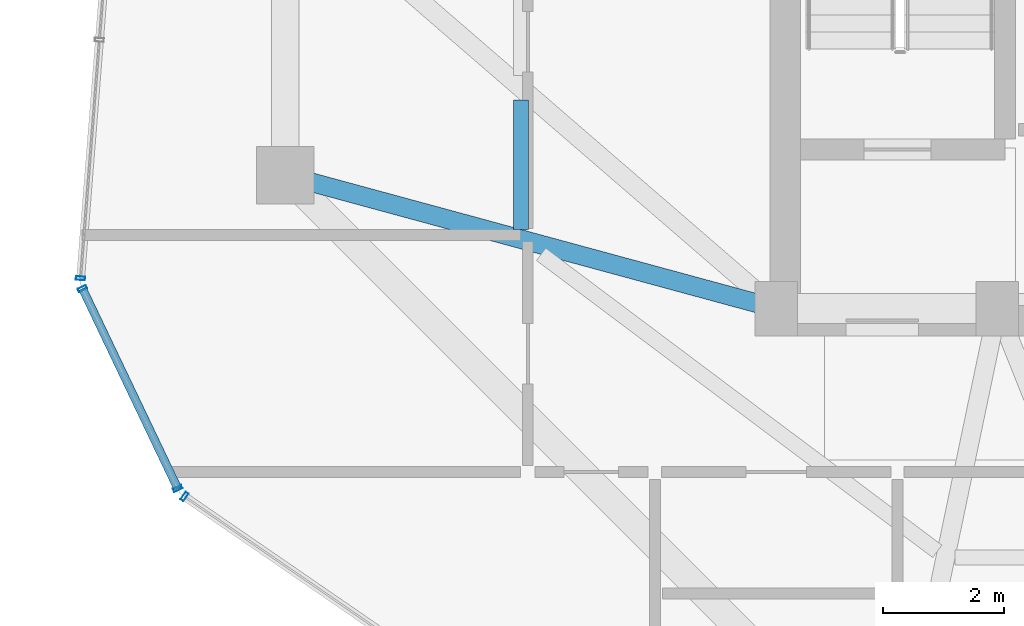
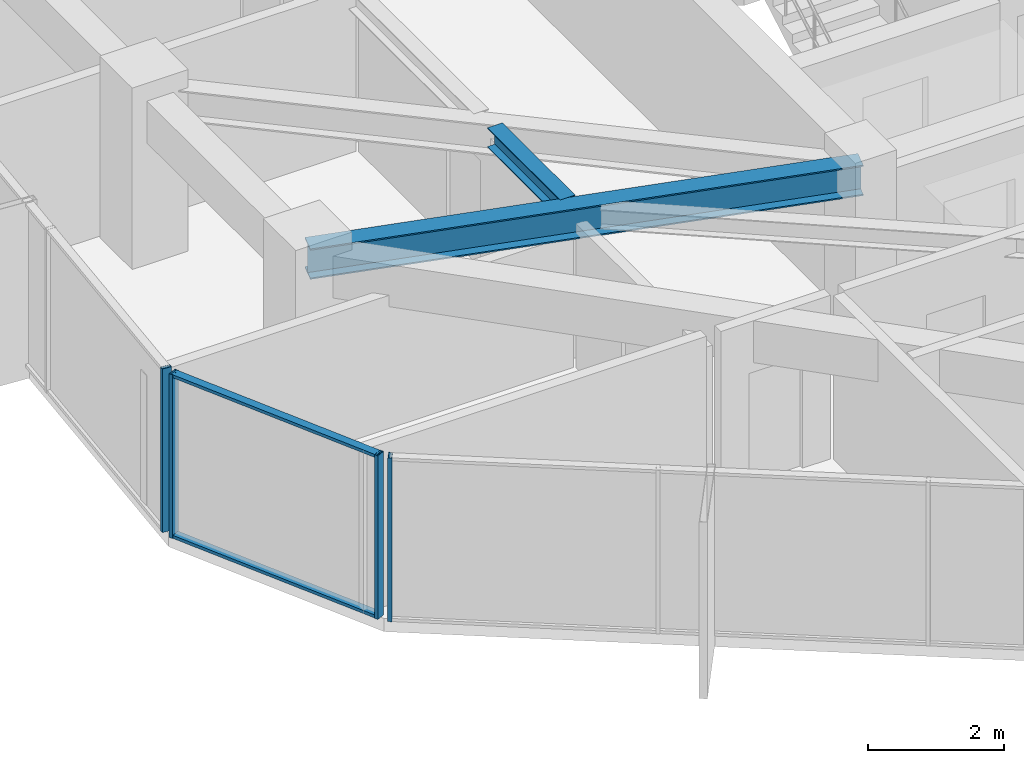
# One storey, part 4 of 29: 6 members, 2 beams, 3 elements without a shape of their own.
"""IFC4 building model written with IfcOpenShell, lengths in metres."""

from ifc_helpers import new_model, si_unit, direction, frame, origin, origin_2d, place, context, subcontext, project, spatial, hollow_rectangle, i_section, extrude, source, transform, mapped, material, layer, layer_set, material_profile, profile_set, type_object, element, aggregate, save


model = new_model("IFC4")

# Units and contexts
model_context = context("Model", 3, precision=1e-05, world=origin(), true_north=direction((0.0, 1.0)))
body_context = subcontext(model_context, "Body", "Model", "MODEL_VIEW")
ifc_project = project(units=[si_unit("LENGTHUNIT", "METRE"), si_unit("AREAUNIT", "SQUARE_METRE"), si_unit("VOLUMEUNIT", "CUBIC_METRE"), si_unit("PLANEANGLEUNIT", "RADIAN"), si_unit("MASSUNIT", "GRAM", prefix="KILO")], contexts=[model_context])

# Site, building, storey
site_placement = place(None, origin())
site = spatial("IfcSite", under=ifc_project, at=site_placement, CompositionType="ELEMENT")
building_placement = place(site_placement, origin())
building = spatial("IfcBuilding", under=site, at=building_placement, Name="Veraguas Prism Commons", CompositionType="ELEMENT")
storey_placement = place(building_placement, frame((0.0, 0.0, 222.14990234375)))
storey = spatial("IfcBuildingStorey", under=building, at=storey_placement, Name="L63", CompositionType="ELEMENT", Elevation=222.14990234375)

# Beams
ifc_material_1 = material(Name="Steel ASTM A992 Grade 50", Category="steel")
ifc_material_profile_1 = material_profile(ifc_material_1, i_section(OverallWidth=0.25390625, OverallDepth=0.35302734375, WebThickness=0.009521484375, FlangeThickness=0.016357421875, at=origin_2d()), Name="W360X91")
ifc_profile_set_1 = profile_set([ifc_material_profile_1], Name="Steel ASTM A992 Grade 50")
beam_type_1 = type_object("IfcBeamType", Name="Upper Floor Joist W360x91", PredefinedType="JOIST", material=ifc_profile_set_1)
beam_1_placement = place(storey_placement, frame((12.988037109375, 20.43701171875, 2.753662109375), z_axis=(0.0, -1.0, 0.0), x_axis=(1.0, 0.0, 0.0)))
element("IfcBeam", 1, at=beam_1_placement, inside=storey, type_object=beam_type_1, Name="Composite Floor Joist L63-JS08", PredefinedType="JOIST", context=body_context, shape_type="SweptSolid", body=[
    extrude(i_section(OverallWidth=0.25390625, OverallDepth=0.35302734375, WebThickness=0.009521484375, FlangeThickness=0.016357421875, at=origin_2d()), origin(), (0.0, 0.0, 1.0), 2.134033203125),
])
ifc_material_profile_2 = material_profile(ifc_material_1, i_section(OverallWidth=0.31103515625, OverallDepth=0.5458984375, WebThickness=0.0146484375, FlangeThickness=0.023681640625, at=origin_2d()), Name="W530X165")
ifc_profile_set_2 = profile_set([ifc_material_profile_2], Name="Steel ASTM A992 Grade 50")
beam_type_2 = type_object("IfcBeamType", Name="Zone 3 Radial Girder W530x165", PredefinedType="BEAM", material=ifc_profile_set_2)
beam_2_placement = place(storey_placement, frame((9.10009765625, 19.199951171875, 2.656982421875), z_axis=(0.965038506703, -0.262108146725, 0.0), x_axis=(0.262108146725, 0.965038506703, 0.0)))
element("IfcBeam", 2, at=beam_2_placement, inside=storey, type_object=beam_type_2, Name="Radial Floor Girder L63-RD09", PredefinedType="BEAM", context=body_context, shape_type="SweptSolid", body=[
    extrude(i_section(OverallWidth=0.31103515625, OverallDepth=0.5458984375, WebThickness=0.0146484375, FlangeThickness=0.023681640625, at=origin_2d()), origin(), (0.0, 0.0, 1.0), 8.393310546875),
])

# Curtain wall, members
ifc_material_2 = material(Name="Anodised aluminium EN AW-6063 T6", Category="aluminium")
ifc_layer = layer(ifc_material_2, 0.14990234375, Name="Unitised Flush Curtain Wall Zone 3", Category="aluminium")
ifc_layer_set = layer_set([ifc_layer], Name="Anodised aluminium EN AW-6063 T6")
curtain_wall_type = type_object("IfcCurtainWallType", Name="Unitised Flush Curtain Wall Zone 3", PredefinedType="NOTDEFINED", material=ifc_layer_set)
curtain_wall_1_placement = place(storey_placement, origin())
curtain_wall_1 = element("IfcCurtainWall", 3, at=curtain_wall_1_placement, inside=storey, type_object=curtain_wall_type, Name="Chamfer Curtain Wall L63-C4", PredefinedType="NOTDEFINED")
ifc_material_profile_3 = material_profile(ifc_material_2, hollow_rectangle(XDim=0.054931640625, YDim=0.135009765625, WallThickness=0.0029296875, at=origin_2d()), Name="AL55X135X3")
ifc_profile_set_3 = profile_set([ifc_material_profile_3], Name="Anodised aluminium EN AW-6063 T6")
member_type_1 = type_object("IfcMemberType", Name="Curtain Wall Transom Standard AL 55x135x3", PredefinedType="USERDEFINED", material=ifc_profile_set_3)
shared_shape_1 = source(origin(), body_context, "Body", "SweptSolid", [
    extrude(hollow_rectangle(XDim=0.054931640625, YDim=0.135009765625, WallThickness=0.0029296875, at=origin_2d()), origin(), (0.0, 0.0, 1.0), 3.654296875),
])
member_1_placement = place(storey_placement, frame((5.752197265625, 17.328125, 0.027587890625), z_axis=(0.430244750124, -0.902712276969, 0.0), x_axis=(0.0, 0.0, 1.0)))
member_1 = element("IfcMember", 4, at=member_1_placement, type_object=member_type_1, Name="CW-Z3 Transom 1", ObjectType="TRANSOM", PredefinedType="USERDEFINED", context=body_context, shape_type="MappedRepresentation", body=[
    mapped(shared_shape_1, transform((0.0, 0.0, 0.0), scale=1.0)),
])
member_2_placement = place(storey_placement, frame((5.752197265625, 17.328125, 2.902587890625), z_axis=(0.430244750124, -0.902712276969, 0.0), x_axis=(0.0, 0.0, 1.0)))
member_2 = element("IfcMember", 5, at=member_2_placement, type_object=member_type_1, Name="CW-Z3 Transom 2", ObjectType="TRANSOM", PredefinedType="USERDEFINED", context=body_context, shape_type="MappedRepresentation", body=[
    mapped(shared_shape_1, transform((0.0, 0.0, 0.0), scale=1.0)),
])

# Curtain wall, member
curtain_wall_2_placement = place(storey_placement, origin())
curtain_wall_2 = element("IfcCurtainWall", 6, at=curtain_wall_2_placement, inside=storey, type_object=curtain_wall_type, Name="Tower Facade Curtain Wall L63-F3", PredefinedType="NOTDEFINED")
ifc_material_profile_4 = material_profile(ifc_material_2, hollow_rectangle(XDim=0.06005859375, YDim=0.14990234375, WallThickness=0.0029296875, at=origin_2d()), Name="AL60X150X3")
ifc_profile_set_4 = profile_set([ifc_material_profile_4], Name="Anodised aluminium EN AW-6063 T6")
member_type_2 = type_object("IfcMemberType", Name="Curtain Wall Mullion Upper AL 60x150x3", PredefinedType="MULLION", material=ifc_profile_set_4)
shared_shape_2 = source(origin(), body_context, "Body", "SweptSolid", [
    extrude(hollow_rectangle(XDim=0.06005859375, YDim=0.14990234375, WallThickness=0.0029296875, at=origin_2d()), origin(), (0.0, 0.0, 1.0), 2.93017578125),
])
member_3_placement = place(storey_placement, frame((5.720458984375, 17.4990234375, 0.0), z_axis=(0.0, 0.0, 1.0), x_axis=(-0.07881230044, -0.99688947296, 0.0)))
member_3 = element("IfcMember", 7, at=member_3_placement, type_object=member_type_2, Name="CW-Z3 Mullion 5", PredefinedType="MULLION", context=body_context, shape_type="MappedRepresentation", body=[
    mapped(shared_shape_2, transform((0.0, 0.0, 0.0), scale=1.0)),
])
aggregate(curtain_wall_2, [member_3])

curtain_wall_3_placement = place(storey_placement, origin())
curtain_wall_3 = element("IfcCurtainWall", 8, at=curtain_wall_3_placement, inside=storey, type_object=curtain_wall_type, Name="Tower Facade Curtain Wall L63-F4", PredefinedType="NOTDEFINED")
member_4_placement = place(storey_placement, frame((7.437255859375, 13.89697265625, 0.0), z_axis=(0.0, 0.0, 1.0), x_axis=(0.823926447203, -0.56669675277, 0.0)))
member_4 = element("IfcMember", 9, at=member_4_placement, type_object=member_type_2, Name="CW-Z3 Mullion 1", PredefinedType="MULLION", context=body_context, shape_type="MappedRepresentation", body=[
    mapped(shared_shape_2, transform((0.0, 0.0, 0.0), scale=1.0)),
])
aggregate(curtain_wall_3, [member_4])

# Member
member_5_placement = place(storey_placement, frame((5.752197265625, 17.328125, 0.0), z_axis=(0.0, 0.0, 1.0), x_axis=(0.430225944493, -0.902721239744, 0.0)))
member_5 = element("IfcMember", 10, at=member_5_placement, type_object=member_type_2, Name="CW-Z3 Mullion 1", PredefinedType="MULLION", context=body_context, shape_type="MappedRepresentation", body=[
    mapped(shared_shape_2, transform((0.0, 0.0, 0.0), scale=1.0)),
])

member_6_placement = place(storey_placement, frame((7.324462890625, 14.029296875, 0.0), z_axis=(0.0, 0.0, 1.0), x_axis=(0.430225944493, -0.902721239744, 0.0)))
member_6 = element("IfcMember", 11, at=member_6_placement, type_object=member_type_2, Name="CW-Z3 Mullion 2", PredefinedType="MULLION", context=body_context, shape_type="MappedRepresentation", body=[
    mapped(shared_shape_2, transform((0.0, 0.0, 0.0), scale=1.0)),
])

aggregate(curtain_wall_1, [member_5, member_6, member_1, member_2])

save(model, "model.ifc")
